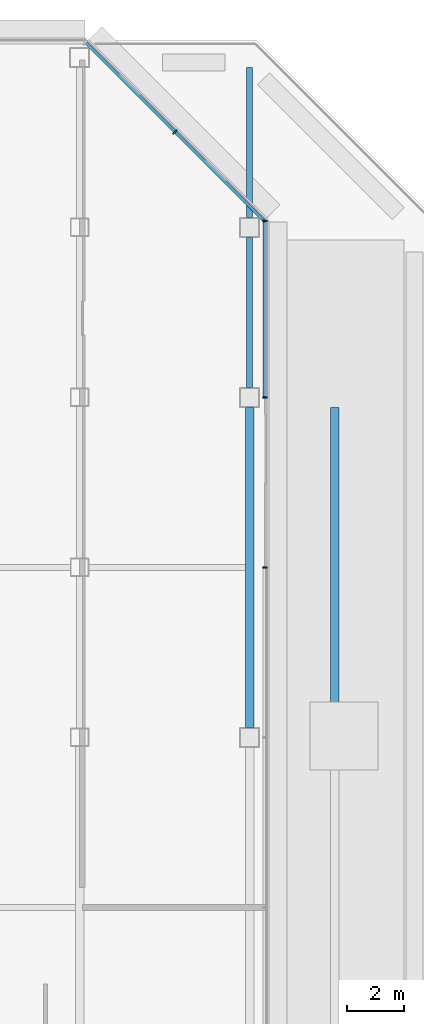
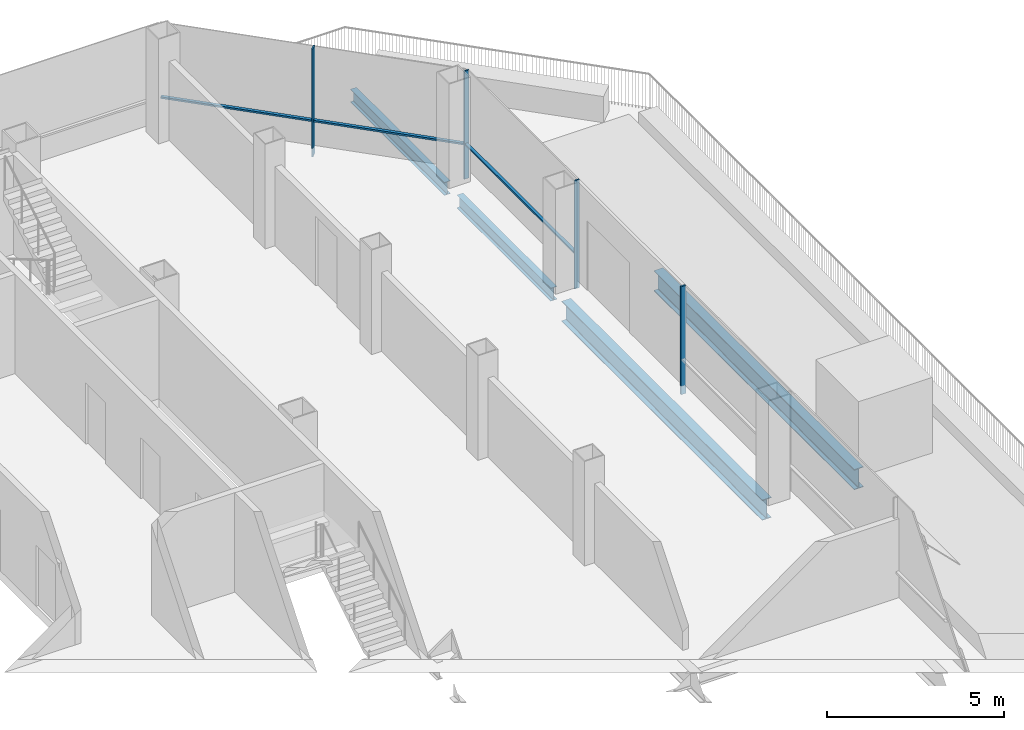
# One storey, part 15 of 27: 6 members, 4 beams, 2 elements without a shape of their own.
"""IFC4 building model written with IfcOpenShell, lengths in metres."""

import ifcopenshell
import ifcopenshell.guid

model = None  # the IFC model being written
_history = None  # IfcOwnerHistory: only IFC2X3 demands one
_inside = {}  # id of a spatial element -> (the spatial element, [elements in it])
_under = {}  # id of a project, library or spatial element -> (it, [spatial elements below it])
_declared = {}  # id of a project -> (the project, [libraries it declares])
_typed = {}  # id of a type object -> (the type object, [elements of that type])
_made_of = {}  # id of a material, layer set ... -> (it, [elements and type objects made of it])


def new_model(schema):
    """Start an empty IFC model of exactly this schema.

    Asked for "IFC4X3", IfcOpenShell would pick the latest addendum, in which some entities
    have other attributes; the version numbers below select the first issue.
    IFC2X3 requires an IfcOwnerHistory on every rooted entity: one is made here for all.
    """
    global model, _history
    if schema == "IFC4X3":
        model = ifcopenshell.file(schema_version=(4, 3, 0, 0))
    else:
        model = ifcopenshell.file(schema=schema)
    _inside.clear()
    _under.clear()
    _declared.clear()
    _typed.clear()
    _made_of.clear()
    _history = None
    if model.schema == "IFC2X3":
        org = make("IfcOrganization", Name="unknown")
        user = make(
            "IfcPersonAndOrganization",
            ThePerson=make("IfcPerson", FamilyName="unknown"),
            TheOrganization=org,
        )
        app = make(
            "IfcApplication",
            ApplicationDeveloper=org,
            Version="unknown",
            ApplicationFullName="unknown",
            ApplicationIdentifier="unknown",
        )
        _history = make(
            "IfcOwnerHistory",
            OwningUser=user,
            OwningApplication=app,
            ChangeAction="ADDED",
            CreationDate=0,
        )
    return model


def make(cls, **values):
    """One entity of the class cls with the attributes given. An attribute that is None is left unset."""
    return model.create_entity(
        cls, **{name: value for name, value in values.items() if value is not None}
    )


def rooted(cls, **values):
    """An entity with a GlobalId (a new one), such as an element, a storey or a relation."""
    return make(cls, GlobalId=ifcopenshell.guid.new(), OwnerHistory=_history, **values)


def si_unit(unit_type, name, prefix=None):
    """IfcSIUnit, for example si_unit("LENGTHUNIT", "METRE", prefix="MILLI")."""
    return make("IfcSIUnit", UnitType=unit_type, Prefix=prefix, Name=name)


def assignment(units):
    """IfcUnitAssignment: the units of a project."""
    return None if units is None else make("IfcUnitAssignment", Units=units)


def point(xyz):
    """IfcCartesianPoint."""
    return None if xyz is None else make("IfcCartesianPoint", Coordinates=xyz)


def direction(xyz):
    """IfcDirection."""
    return None if xyz is None else make("IfcDirection", DirectionRatios=xyz)


def frame(location, z_axis=None, x_axis=None):
    """IfcAxis2Placement3D, a coordinate frame: its origin and axes. An axis left out is left unset."""
    return make(
        "IfcAxis2Placement3D",
        Location=point(location),
        Axis=direction(z_axis),
        RefDirection=direction(x_axis),
    )


def frame_2d(location, x_axis=None):
    """IfcAxis2Placement2D, a coordinate frame in the plane: its origin and x axis."""
    return make(
        "IfcAxis2Placement2D", Location=point(location), RefDirection=direction(x_axis)
    )


def origin():
    """The frame at (0, 0, 0) with its axes left unset."""
    return frame((0.0, 0.0, 0.0))


def origin_2d():
    """The frame at (0, 0) in the plane with its x axis left unset."""
    return frame_2d((0.0, 0.0))


def place(relative_to, where):
    """IfcLocalPlacement: puts the frame where relative to a parent placement (None: the world)."""
    return make(
        "IfcLocalPlacement", PlacementRelTo=relative_to, RelativePlacement=where
    )


def context(
    kind, dimensions, precision=None, world=None, true_north=None, identifier=None
):
    """IfcGeometricRepresentationContext, for example the 3D "Model" context."""
    return make(
        "IfcGeometricRepresentationContext",
        ContextIdentifier=identifier,
        ContextType=kind,
        CoordinateSpaceDimension=dimensions,
        Precision=precision,
        WorldCoordinateSystem=world,
        TrueNorth=true_north,
    )


def subcontext(parent, identifier, kind, view, scale=None):
    """IfcGeometricRepresentationSubContext, for example "Body" below "Model"."""
    return make(
        "IfcGeometricRepresentationSubContext",
        ContextIdentifier=identifier,
        ContextType=kind,
        ParentContext=parent,
        TargetScale=scale,
        TargetView=view,
    )


def project(units=None, contexts=None):
    """IfcProject with its units and contexts."""
    return rooted(
        "IfcProject",
        Name="project",
        RepresentationContexts=contexts,
        UnitsInContext=assignment(units),
    )


def spatial(cls, under=None, at=None, **own):
    """A site, building, storey or space (cls), placed at a placement, below another one or the project."""
    s = rooted(cls, ObjectPlacement=at, **own)
    if under is not None:
        _under.setdefault(under.id(), (under, []))[1].append(s)
    return s


def profile(cls, at=None, kind="AREA", **sizes):
    """A parametric profile (cls). Its sizes go by their IFC names, for example OverallWidth=200.0."""
    return make(cls, ProfileType=kind, Position=at, **sizes)


def rectangle(**sizes):
    """IfcRectangleProfileDef."""
    return profile("IfcRectangleProfileDef", **sizes)


def i_section(**sizes):
    """IfcIShapeProfileDef."""
    return profile("IfcIShapeProfileDef", **sizes)


def extrude(swept, where, along, depth):
    """IfcExtrudedAreaSolid: the profile swept, set in the frame where, extruded along a direction by depth."""
    return make(
        "IfcExtrudedAreaSolid",
        SweptArea=swept,
        Position=where,
        ExtrudedDirection=direction(along),
        Depth=depth,
    )


def shape(context_of_items, identifier, shape_type, items):
    """IfcShapeRepresentation: the items that make up one representation, for example the "Body"."""
    return make(
        "IfcShapeRepresentation",
        ContextOfItems=context_of_items,
        RepresentationIdentifier=identifier,
        RepresentationType=shape_type,
        Items=items,
    )


def material(Name=None, Category=None):
    """IfcMaterial."""
    return make("IfcMaterial", Name=Name, Category=Category)


def material_profile(
    of_material, cross_section, Name=None, Category=None, Priority=None
):
    """IfcMaterialProfile: a cross section and its material."""
    return make(
        "IfcMaterialProfile",
        Name=Name,
        Material=of_material,
        Profile=cross_section,
        Priority=Priority,
        Category=Category,
    )


def profile_set(profiles, Name=None, composite=None):
    """IfcMaterialProfileSet."""
    return make(
        "IfcMaterialProfileSet",
        Name=Name,
        MaterialProfiles=profiles,
        CompositeProfile=composite,
    )


def made_of(thing, what):
    """Note that an element or type object is made of a material, layer set ...; save() writes the relation."""
    if what is not None:
        _made_of.setdefault(what.id(), (what, []))[1].append(thing)
    return thing


def type_object(cls, material=None, **own):
    """A type object (cls), such as IfcWallType, which elements share."""
    return made_of(rooted(cls, **own), material)


def element(
    cls,
    number,
    at=None,
    inside=None,
    cuts=None,
    type_object=None,
    material=None,
    context=None,
    identifier="Body",
    shape_type=None,
    held_by="IfcProductDefinitionShape",
    body=None,
    shapes=None,
    **own,
):
    """One element of the class cls, such as IfcWall. Its Tag is "e" and its number.

    at: its placement. inside: the storey or other place that contains it. cuts: it is an
    opening in that element (IfcRelVoidsElement). A single representation is given by context,
    identifier, shape_type and body (its items); several are given by shapes. held_by: the class
    of the entity that holds the representations. save() writes the other relations.
    """
    e = rooted(cls, Tag="e%d" % number, ObjectPlacement=at, **own)
    if body is not None:
        shapes = [shape(context, identifier, shape_type, body)]
    if shapes is not None:
        e.Representation = make(held_by, Representations=shapes)
    if inside is not None:
        _inside.setdefault(inside.id(), (inside, []))[1].append(e)
    if cuts is not None:
        rooted(
            "IfcRelVoidsElement", RelatingBuildingElement=cuts, RelatedOpeningElement=e
        )
    if type_object is not None:
        _typed.setdefault(type_object.id(), (type_object, []))[1].append(e)
    return made_of(e, material)


def aggregate(whole, parts):
    """IfcRelAggregates: a whole, such as a stair, and the parts it consists of."""
    return rooted("IfcRelAggregates", RelatingObject=whole, RelatedObjects=parts)


def save(model, path):
    """Write the relations noted so far, then the file.

    IfcRelAggregates (storeys below a building ...), IfcRelContainedInSpatialStructure (elements
    in a storey), IfcRelDefinesByType, IfcRelAssociatesMaterial and IfcRelDeclares: one each for
    every whole, place, type object, material and project.
    """
    for whole, parts in _under.values():
        aggregate(whole, parts)
    for where, things in _inside.values():
        rooted(
            "IfcRelContainedInSpatialStructure",
            RelatedElements=things,
            RelatingStructure=where,
        )
    for kind, things in _typed.values():
        rooted("IfcRelDefinesByType", RelatedObjects=things, RelatingType=kind)
    for what, things in _made_of.values():
        rooted("IfcRelAssociatesMaterial", RelatedObjects=things, RelatingMaterial=what)
    for by, libraries in _declared.values():
        rooted("IfcRelDeclares", RelatingContext=by, RelatedDefinitions=libraries)
    model.write(path)


model = new_model("IFC4")

# Units and contexts
model_context = context("Model", 3, precision=1e-05, world=origin(), true_north=direction((0.0, 1.0)))
body_context = subcontext(model_context, "Body", "Model", "MODEL_VIEW")
ifc_project = project(units=[si_unit("LENGTHUNIT", "METRE"), si_unit("AREAUNIT", "SQUARE_METRE"), si_unit("VOLUMEUNIT", "CUBIC_METRE"), si_unit("PLANEANGLEUNIT", "RADIAN"), si_unit("MASSUNIT", "GRAM", prefix="KILO")], contexts=[model_context])

# Site, building, storey
site_placement = place(None, origin())
site = spatial("IfcSite", under=ifc_project, at=site_placement, CompositionType="ELEMENT")
building_placement = place(site_placement, origin())
building = spatial("IfcBuilding", under=site, at=building_placement, Name="Sorahane Residences", CompositionType="ELEMENT")
storey_placement = place(building_placement, frame((0.0, 0.0, 192.0)))
storey = spatial("IfcBuildingStorey", under=building, at=storey_placement, Name="L44", CompositionType="ELEMENT", Elevation=192.0)

# Curtain wall, members
ifc_material_1 = material(Name="Dark low-e glass and black anodised aluminium", Category="aluminium")
curtain_wall_type_1 = type_object("IfcCurtainWallType", Name="Curtain wall CW-1 Typical unitised wall", PredefinedType="NOTDEFINED", material=ifc_material_1)
curtain_wall_1_placement = place(storey_placement, origin())
curtain_wall_1 = element("IfcCurtainWall", 1, at=curtain_wall_1_placement, inside=storey, type_object=curtain_wall_type_1, Name="CW-1 curtain wall L44 E1", PredefinedType="NOTDEFINED")
ifc_material_2 = material(Name="Black anodised aluminium", Category="aluminium")
ifc_material_profile_1 = material_profile(ifc_material_2, rectangle(XDim=0.159912109375, YDim=0.050048828125, at=origin_2d()), Name="Curtain wall mullion CW-1 black anodised aluminium 50x160")
ifc_profile_set_1 = profile_set([ifc_material_profile_1], Name="Black anodised aluminium")
member_type_1 = type_object("IfcMemberType", Name="Curtain wall mullion CW-1 black anodised aluminium 50x160", PredefinedType="MULLION", material=ifc_profile_set_1)
member_1_placement = place(storey_placement, frame((54.5400390625, 30.0, -0.300048828125), z_axis=(0.0, 0.0, 1.0), x_axis=(1.0, 0.0, 0.0)))
member_1 = element("IfcMember", 2, at=member_1_placement, type_object=member_type_1, Name="CW-1 mullion L44 E1.5", PredefinedType="MULLION", context=body_context, shape_type="SweptSolid", body=[
    extrude(rectangle(XDim=0.159912109375, YDim=0.050048828125, at=origin_2d()), origin(), (0.0, 0.0, 1.0), 3.719970703125),
])
member_2_placement = place(storey_placement, frame((54.5400390625, 36.0, -0.300048828125), z_axis=(0.0, 0.0, 1.0), x_axis=(1.0, 0.0, 0.0)))
member_2 = element("IfcMember", 3, at=member_2_placement, type_object=member_type_1, Name="CW-1 mullion L44 E1.6", PredefinedType="MULLION", context=body_context, shape_type="SweptSolid", body=[
    extrude(rectangle(XDim=0.159912109375, YDim=0.050048828125, at=origin_2d()), origin(), (0.0, 0.0, 1.0), 3.719970703125),
])
member_3_placement = place(storey_placement, frame((54.5400390625, 42.2236328125, -0.300048828125), z_axis=(0.0, 0.0, 1.0), x_axis=(1.0, 0.0, 0.0)))
member_3 = element("IfcMember", 4, at=member_3_placement, type_object=member_type_1, Name="CW-1 mullion L44 E1.7", PredefinedType="MULLION", context=body_context, shape_type="SweptSolid", body=[
    extrude(rectangle(XDim=0.159912109375, YDim=0.050048828125, at=origin_2d()), origin(), (0.0, 0.0, 1.0), 3.719970703125),
])

# Curtain wall, member
ifc_material_3 = material(Name="Dark low-e glass and black anodised aluminium", Category="aluminium")
curtain_wall_type_2 = type_object("IfcCurtainWallType", Name="Curtain wall CW-2 Chamfer unitised wall", PredefinedType="NOTDEFINED", material=ifc_material_3)
curtain_wall_2_placement = place(storey_placement, origin())
curtain_wall_2 = element("IfcCurtainWall", 5, at=curtain_wall_2_placement, inside=storey, type_object=curtain_wall_type_2, Name="CW-2 curtain wall L44 NE1", PredefinedType="NOTDEFINED")
ifc_material_4 = material(Name="Black anodised aluminium", Category="aluminium")
ifc_material_profile_2 = material_profile(ifc_material_4, rectangle(XDim=0.199951171875, YDim=0.050048828125, at=origin_2d()), Name="Curtain wall mullion CW-2 black anodised aluminium 50x200")
ifc_profile_set_2 = profile_set([ifc_material_profile_2], Name="Black anodised aluminium")
member_type_2 = type_object("IfcMemberType", Name="Curtain wall mullion CW-2 black anodised aluminium 50x200", PredefinedType="MULLION", material=ifc_profile_set_2)
member_4_placement = place(storey_placement, frame((51.36767578125, 45.36767578125, -0.300048828125), z_axis=(0.0, 0.0, 1.0), x_axis=(0.707106781187, 0.707106781187, 0.0)))
member_4 = element("IfcMember", 6, at=member_4_placement, type_object=member_type_2, Name="CW-2 mullion L44 NE1.2", PredefinedType="MULLION", context=body_context, shape_type="SweptSolid", body=[
    extrude(rectangle(XDim=0.199951171875, YDim=0.050048828125, at=origin_2d()), origin(), (0.0, 0.0, 1.0), 3.719970703125),
])

# Member
ifc_material_5 = material(Name="Black anodised aluminium", Category="aluminium")
ifc_material_profile_3 = material_profile(ifc_material_5, rectangle(XDim=0.10009765625, YDim=0.06005859375, at=origin_2d()), Name="Curtain wall transom CW-1 black anodised aluminium 60x100")
ifc_profile_set_3 = profile_set([ifc_material_profile_3], Name="Black anodised aluminium")
member_type_3 = type_object("IfcMemberType", Name="Curtain wall transom CW-1 black anodised aluminium 60x100", PredefinedType="USERDEFINED", material=ifc_profile_set_3)
member_5_placement = place(storey_placement, frame((54.530029296875, 36.02490234375, 0.89990234375), z_axis=(0.0, 1.0, 0.0), x_axis=(-1.0, 0.0, 0.0)))
member_5 = element("IfcMember", 7, at=member_5_placement, type_object=member_type_3, Name="CW-1 transom L44 E1.2", ObjectType="TRANSOM", PredefinedType="USERDEFINED", context=body_context, shape_type="SweptSolid", body=[
    extrude(rectangle(XDim=0.10009765625, YDim=0.06005859375, at=origin_2d()), origin(), (0.0, 0.0, 1.0), 6.173583984375),
])

aggregate(curtain_wall_1, [member_1, member_2, member_3, member_5])

ifc_material_6 = material(Name="Black anodised aluminium", Category="aluminium")
ifc_material_profile_4 = material_profile(ifc_material_6, rectangle(XDim=0.10009765625, YDim=0.06005859375, at=origin_2d()), Name="Curtain wall transom CW-2 black anodised aluminium 60x100")
ifc_profile_set_4 = profile_set([ifc_material_profile_4], Name="Black anodised aluminium")
member_type_4 = type_object("IfcMemberType", Name="Curtain wall transom CW-2 black anodised aluminium 60x100", PredefinedType="USERDEFINED", material=ifc_profile_set_4)
member_6_placement = place(storey_placement, frame((54.51513671875, 42.234375, 0.89990234375), z_axis=(-0.707106781187, 0.707106781187, 0.0), x_axis=(-0.707106781187, -0.707106781187, 0.0)))
member_6 = element("IfcMember", 8, at=member_6_placement, type_object=member_type_4, Name="CW-2 transom L44 NE1", ObjectType="TRANSOM", PredefinedType="USERDEFINED", context=body_context, shape_type="SweptSolid", body=[
    extrude(rectangle(XDim=0.10009765625, YDim=0.06005859375, at=origin_2d()), origin(), (0.0, 0.0, 1.0), 8.88232421875),
])

aggregate(curtain_wall_2, [member_4, member_6])

# Beams
ifc_material_7 = material(Name="Steel Q355B", Category="steel")
ifc_material_profile_5 = material_profile(ifc_material_7, i_section(OverallWidth=0.199951171875, OverallDepth=0.449951171875, WebThickness=0.009033203125, FlangeThickness=0.013916015625, FilletRadius=0.02001953125, at=origin_2d()), Name="HN 450x200x9x14")
ifc_profile_set_5 = profile_set([ifc_material_profile_5], Name="Steel Q355B")
beam_type_1 = type_object("IfcBeamType", Name="Steel floor beam HN 450x200x9x14 Q355B", PredefinedType="BEAM", material=ifc_profile_set_5)
for number, where, z_axis, x_axis, name in (
    (9, (54.0, 36.35009765625, -0.52490234375), (0.0, 1.0, 0.0), (-1.0, 0.0, 0.0), "Beam L44 054"),
    (10, (54.0, 42.35009765625, -0.52490234375), (0.0, 1.0, 0.0), (-1.0, 0.0, 0.0), "Beam L44 055"),
):
    element("IfcBeam", number, at=place(storey_placement, frame(where, z_axis=z_axis, x_axis=x_axis)), inside=storey, type_object=beam_type_1, Name=name, PredefinedType="BEAM", context=body_context, shape_type="SweptSolid", body=[
        extrude(i_section(OverallWidth=0.199951171875, OverallDepth=0.449951171875, WebThickness=0.009033203125, FlangeThickness=0.013916015625, FilletRadius=0.02001953125, at=origin_2d()), origin(), (0.0, 0.0, 1.0), 5.2998046875),
    ])
ifc_material_8 = material(Name="Steel Q355B", Category="steel")
ifc_material_profile_6 = material_profile(ifc_material_8, i_section(OverallWidth=0.300048828125, OverallDepth=0.699951171875, WebThickness=0.012939453125, FlangeThickness=0.02392578125, FilletRadius=0.028076171875, at=origin_2d()), Name="HN 700x300x13x24")
ifc_profile_set_6 = profile_set([ifc_material_profile_6], Name="Steel Q355B")
beam_type_2 = type_object("IfcBeamType", Name="Steel floor beam HN 700x300x13x24 Q355B", PredefinedType="BEAM", material=ifc_profile_set_6)
for number, where, z_axis, x_axis, name in (
    (11, (54.0, 24.35009765625, -0.64990234375), (0.0, 1.0, 0.0), (-1.0, 0.0, 0.0), "Beam L44 053"),
    (12, (57.0, 24.35009765625, -0.64990234375), (0.0, 1.0, 0.0), (-1.0, 0.0, 0.0), "Beam L44 068"),
):
    element("IfcBeam", number, at=place(storey_placement, frame(where, z_axis=z_axis, x_axis=x_axis)), inside=storey, type_object=beam_type_2, Name=name, PredefinedType="BEAM", context=body_context, shape_type="SweptSolid", body=[
        extrude(i_section(OverallWidth=0.300048828125, OverallDepth=0.699951171875, WebThickness=0.012939453125, FlangeThickness=0.02392578125, FilletRadius=0.028076171875, at=origin_2d()), origin(), (0.0, 0.0, 1.0), 11.2998046875),
    ])

save(model, "model.ifc")
